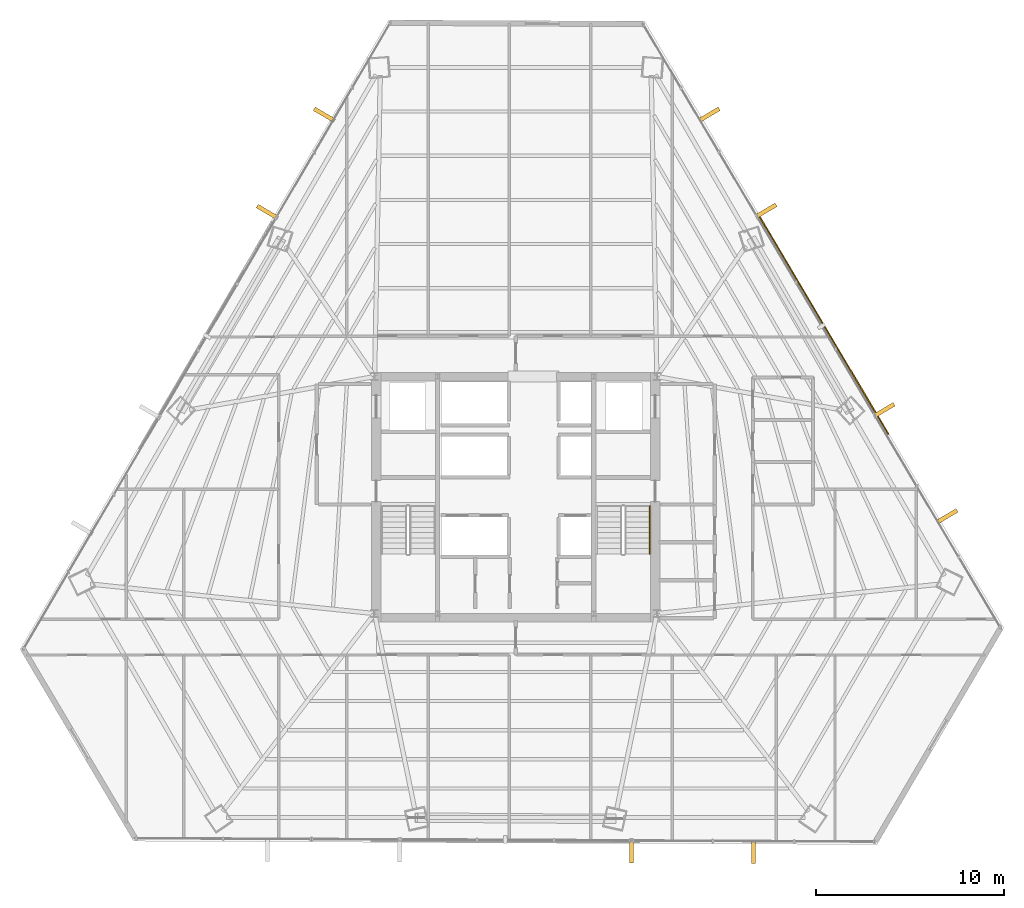
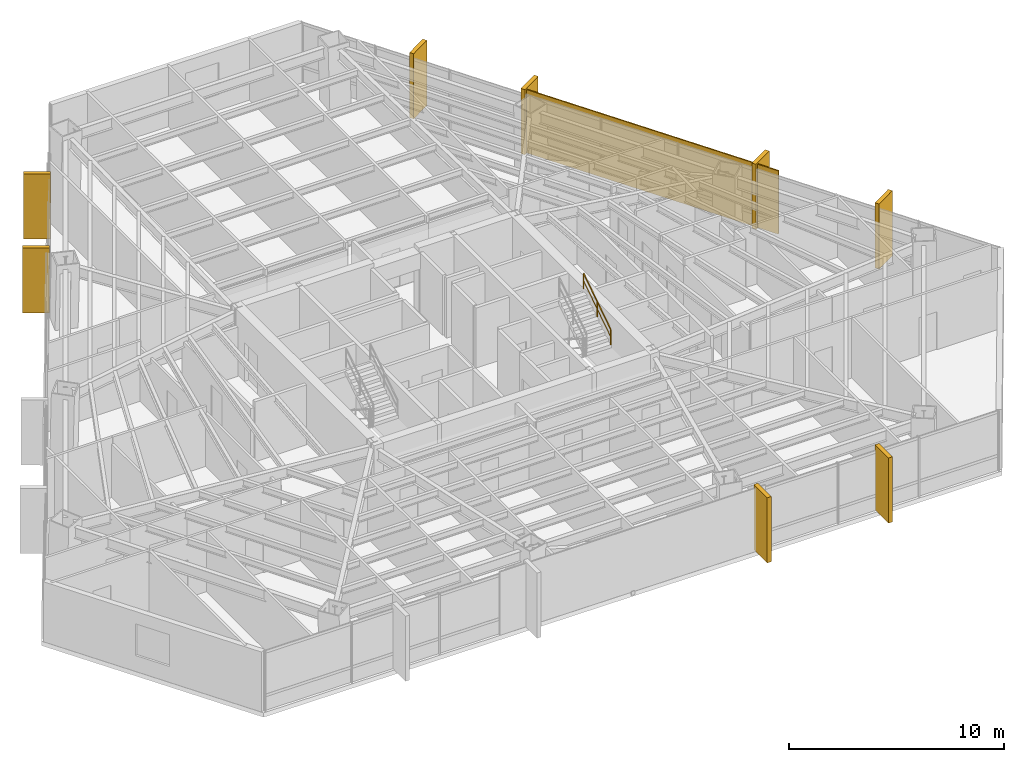
# One storey, part 36 of 36: 8 coverings, 1 railing, 1 shading device.
"""IFC4 building model written with IfcOpenShell, lengths in metres."""

from ifc_helpers import new_model, si_unit, direction, frame, origin, origin_2d, place, context, subcontext, project, spatial, rectangle, extrude, source, transform, mapped, material, layer, layer_set, type_object, type_shapes, element, save


model = new_model("IFC4")

# Units and contexts
model_context = context("Model", 3, precision=1e-05, world=origin(), true_north=direction((0.0, 1.0)))
body_context = subcontext(model_context, "Body", "Model", "MODEL_VIEW")
ifc_project = project(units=[si_unit("LENGTHUNIT", "METRE"), si_unit("AREAUNIT", "SQUARE_METRE"), si_unit("VOLUMEUNIT", "CUBIC_METRE"), si_unit("PLANEANGLEUNIT", "RADIAN"), si_unit("MASSUNIT", "GRAM", prefix="KILO")], contexts=[model_context])

# Site, building, storey
site_placement = place(None, origin())
site = spatial("IfcSite", under=ifc_project, at=site_placement, CompositionType="ELEMENT")
building_placement = place(site_placement, origin())
building = spatial("IfcBuilding", under=site, at=building_placement, Name="Caelisora Broadcast Tower", CompositionType="ELEMENT")
storey_placement = place(building_placement, frame((0.0, 0.0, 112.699951171875)))
storey = spatial("IfcBuildingStorey", under=building, at=storey_placement, Name="L29", CompositionType="ELEMENT", Elevation=112.699951171875)

# Railing
ifc_material_1 = material(Name="Stainless Steel Grade 316 Tubular Handrail", Category="steel")
ifc_layer_1 = layer(ifc_material_1, 0.048095703125, Name="Stainless Steel Grade 316 Tubular Handrail")
ifc_layer_set_1 = layer_set([ifc_layer_1], Name="Stainless Steel Grade 316 Tubular Handrail")
railing_type = type_object("IfcRailingType", Name="HR-1", PredefinedType="HANDRAIL", material=ifc_layer_set_1)
railing_placement = place(storey_placement, frame((45.1298828125, 20.580078125, 2.007568359375)))
element("IfcRailing", 1, at=railing_placement, inside=storey, type_object=railing_type, Name="L29 ST-2 stair handrail 2", PredefinedType="HANDRAIL", context=body_context, shape_type="SweptSolid", body=[
    extrude(rectangle(XDim=0.048095703125, YDim=0.048095703125, at=origin_2d()), frame((0.0, 0.0, 0.8759765625), z_axis=(0.0, 0.837749427056, 0.546054848405), x_axis=(-1.0, 0.0, 0.0)), (0.0, 0.0, 1.0), 3.008056640625),
    extrude(rectangle(XDim=0.03125, YDim=0.03125, at=origin_2d()), frame((0.0, 0.0, 0.449951171875), z_axis=(0.0, 0.837749427056, 0.546054848405), x_axis=(-1.0, 0.0, 0.0)), (0.0, 0.0, 1.0), 3.008056640625),
    extrude(rectangle(XDim=0.0419921875, YDim=0.0419921875, at=origin_2d()), origin(), (0.0, 0.0, 1.0), 0.851806640625),
    extrude(rectangle(XDim=0.0419921875, YDim=0.0419921875, at=origin_2d()), frame((0.0, 1.260009765625, 0.8212890625)), (0.0, 0.0, 1.0), 0.851806640625),
    extrude(rectangle(XDim=0.0419921875, YDim=0.0419921875, at=origin_2d()), frame((0.0, 2.52001953125, 1.642578125)), (0.0, 0.0, 1.0), 0.851806640625),
])

# Coverings
ifc_material_2 = material(Name="Kiln-Fired Terracotta Spandrel Rainscreen Cladding", Category="ceramic")
ifc_layer_2 = layer(ifc_material_2, 0.044921875, Name="Kiln-Fired Terracotta Spandrel Rainscreen Cladding")
ifc_layer_set_2 = layer_set([ifc_layer_2], Name="Kiln-Fired Terracotta Spandrel Rainscreen Cladding")
covering_type = type_object("IfcCoveringType", Name="CL-1", PredefinedType="CLADDING", material=ifc_layer_set_2)
shared_shape_1 = source(origin(), body_context, "Body", "SweptSolid", [
    extrude(rectangle(XDim=0.219970703125, YDim=1.25, at=origin_2d()), origin(), (0.0, 0.0, 1.0), 3.68994140625),
])
type_shapes(covering_type, [shared_shape_1])
for number, where, z_axis, x_axis, name in (
    (2, (48.2763671875, 43.915283203125, -0.02001953125), (0.0, 0.0, 1.0), (0.509492029423, -0.860475375565, 0.0), "L29 vertical solar fin cladding #1-1"),
    (3, (51.2998046875, 38.80908203125, -0.02001953125), (0.0, 0.0, 1.0), (0.509492029423, -0.860475375565, 0.0), "L29 vertical solar fin cladding #1-2"),
    (4, (57.576416015625, 28.209716796875, -0.02001953125), (0.0, 0.0, 1.0), (0.509492029423, -0.860475375565, 0.0), "L29 vertical solar fin cladding #1-3"),
    (5, (60.91748046875, 22.56689453125, -0.02001953125), (0.0, 0.0, 1.0), (0.509492029423, -0.860475375565, 0.0), "L29 vertical solar fin cladding #1-4"),
    (6, (50.633056640625, 4.740966796875, -0.02001953125), (0.0, 0.0, 1.0), (-0.999988896716, 0.004712371539, 0.0), "L29 vertical solar fin cladding #2-1"),
    (7, (44.151611328125, 4.77099609375, -0.02001953125), (0.0, 0.0, 1.0), (-0.999988896716, 0.004712371539, 0.0), "L29 vertical solar fin cladding #2-2"),
    (8, (24.797607421875, 38.744384765625, -0.02001953125), (0.0, 0.0, 1.0), (0.505582083675, 0.862778509623, 0.0), "L29 vertical solar fin cladding #3-3"),
    (9, (27.826171875, 43.9130859375, -0.02001953125), (0.0, 0.0, 1.0), (0.505582083675, 0.862778509623, 0.0), "L29 vertical solar fin cladding #3-4"),
):
    element("IfcCovering", number, at=place(storey_placement, frame(where, z_axis=z_axis, x_axis=x_axis)), inside=storey, type_object=covering_type, Name=name, PredefinedType="CLADDING", context=body_context, shape_type="MappedRepresentation", body=[
        mapped(shared_shape_1, transform((0.0, 0.0, 0.0), scale=1.0)),
    ])

# Shading device
ifc_material_3 = material(Name="Perforated Glazed Terracotta Baguette Solar Screen", Category="ceramic")
ifc_layer_3 = layer(ifc_material_3, 0.06494140625, Name="Perforated Glazed Terracotta Baguette Solar Screen")
ifc_layer_set_3 = layer_set([ifc_layer_3], Name="Perforated Glazed Terracotta Baguette Solar Screen")
shading_device_type = type_object("IfcShadingDeviceType", Name="SS-1", PredefinedType="USERDEFINED", material=ifc_layer_set_3)
shared_shape_2 = source(origin(), body_context, "Body", "SweptSolid", [
    extrude(rectangle(XDim=13.490966796875, YDim=0.06494140625, at=origin_2d()), origin(), (0.0, 0.0, 1.0), 3.590087890625),
])
type_shapes(shading_device_type, [shared_shape_2])
shading_device_placement = place(storey_placement, frame((54.36962890625, 32.7421875, 0.0), z_axis=(0.0, 0.0, 1.0), x_axis=(-0.509492029423, 0.860475375565, 0.0)))
element("IfcShadingDevice", 10, at=shading_device_placement, inside=storey, type_object=shading_device_type, Name="L29 perforated terracotta solar screen #3", ObjectType="SOLAR SCREEN", PredefinedType="USERDEFINED", context=body_context, shape_type="MappedRepresentation", body=[
    mapped(shared_shape_2, transform((0.0, 0.0, 0.0), scale=1.0)),
])

save(model, "model.ifc")
